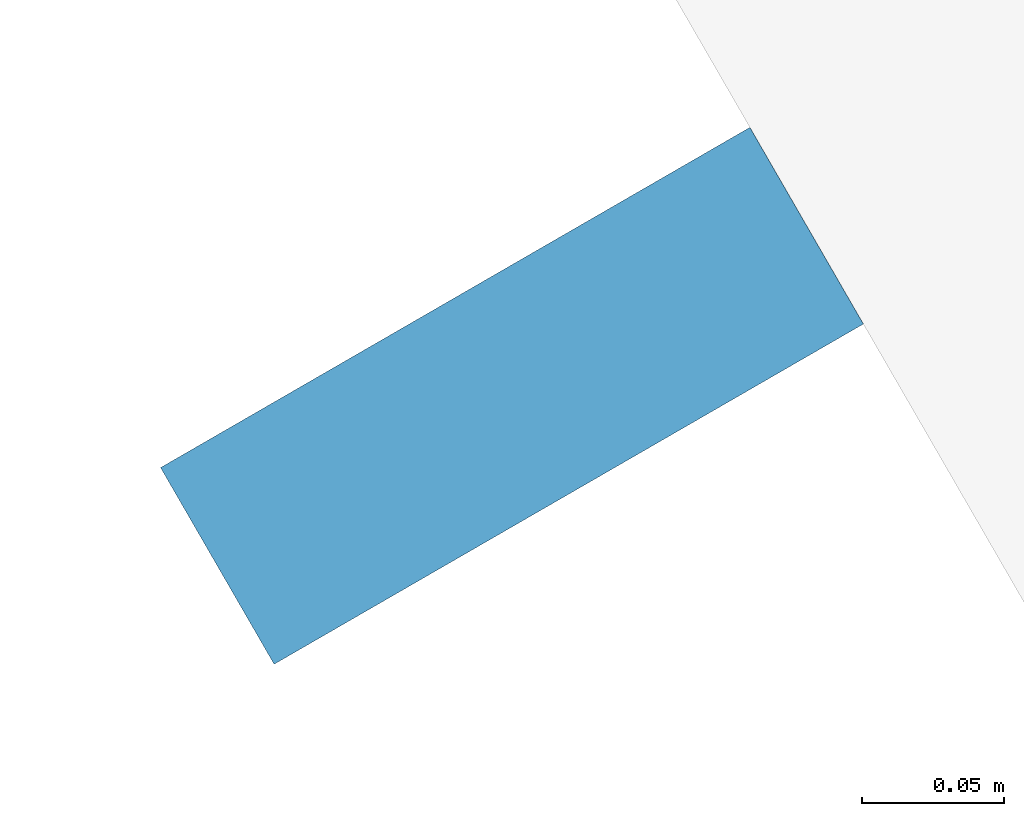
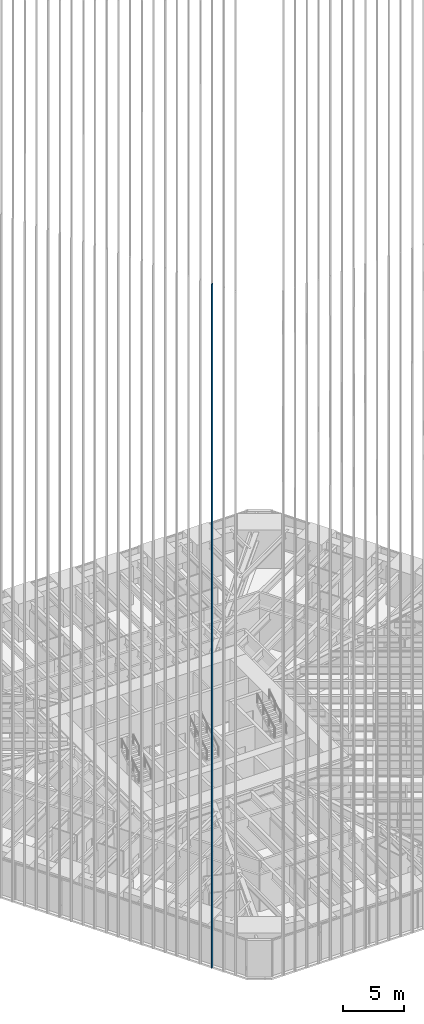
# One storey, part 17 of 256: 1 member, 1 element without a shape of its own.
"""IFC4 building model written with IfcOpenShell, lengths in metres."""

from ifc_helpers import new_model, si_unit, direction, frame, origin, origin_2d, place, context, subcontext, project, spatial, rectangle, extrude, material, material_profile, profile_set, type_object, element, aggregate, save


model = new_model("IFC4")

# Units and contexts
model_context = context("Model", 3, precision=1e-05, world=origin(), true_north=direction((0.0, 1.0)))
body_context = subcontext(model_context, "Body", "Model", "MODEL_VIEW")
ifc_project = project(units=[si_unit("LENGTHUNIT", "METRE"), si_unit("AREAUNIT", "SQUARE_METRE"), si_unit("VOLUMEUNIT", "CUBIC_METRE"), si_unit("PLANEANGLEUNIT", "RADIAN"), si_unit("MASSUNIT", "GRAM", prefix="KILO")], contexts=[model_context])

# Site, building, storey
site_placement = place(None, origin())
site = spatial("IfcSite", under=ifc_project, at=site_placement, CompositionType="ELEMENT")
building_placement = place(site_placement, origin())
building = spatial("IfcBuilding", under=site, at=building_placement, Name="Sandreach Pilgrim Tower", CompositionType="ELEMENT")
storey_placement = place(building_placement, frame((0.0, 0.0, 23.0)))
storey = spatial("IfcBuildingStorey", under=building, at=storey_placement, Name="L04", CompositionType="ELEMENT", Elevation=23.0)

# Curtain wall, member
ifc_material_1 = material(Name="Aluminium framed curtain wall", Category="aluminium")
curtain_wall_type = type_object("IfcCurtainWallType", Name="Hostel tower curtain wall", PredefinedType="NOTDEFINED", material=ifc_material_1)
curtain_wall_placement = place(storey_placement, origin())
curtain_wall = element("IfcCurtainWall", 1, at=curtain_wall_placement, inside=storey, type_object=curtain_wall_type, Name="CW-1 L04 SW", PredefinedType="NOTDEFINED")
ifc_material_2 = material(Name="Extruded terracotta on aluminium core", Category="masonry")
ifc_material_profile = material_profile(ifc_material_2, rectangle(XDim=0.080078125, YDim=0.239990234375, at=origin_2d()), Name="TBW 80X240")
ifc_profile_set = profile_set([ifc_material_profile], Name="Extruded terracotta on aluminium core")
member_type = type_object("IfcMemberType", Name="Terracotta baguette west", PredefinedType="USERDEFINED", material=ifc_profile_set)
member_placement = place(storey_placement, frame((-12.80615234375, -26.556396484375, 0.0), z_axis=(0.0, 0.0, 1.0), x_axis=(-0.5, 0.866025403784, 0.0)))
member = element("IfcMember", 2, at=member_placement, type_object=member_type, Name="Baguette Z1 SW03", ObjectType="BAGUETTE", PredefinedType="USERDEFINED", context=body_context, shape_type="SweptSolid", body=[
    extrude(rectangle(XDim=0.080078125, YDim=0.239990234375, at=origin_2d()), origin(), (0.0, 0.0, 1.0), 68.239990234375),
])
aggregate(curtain_wall, [member])

save(model, "model.ifc")
